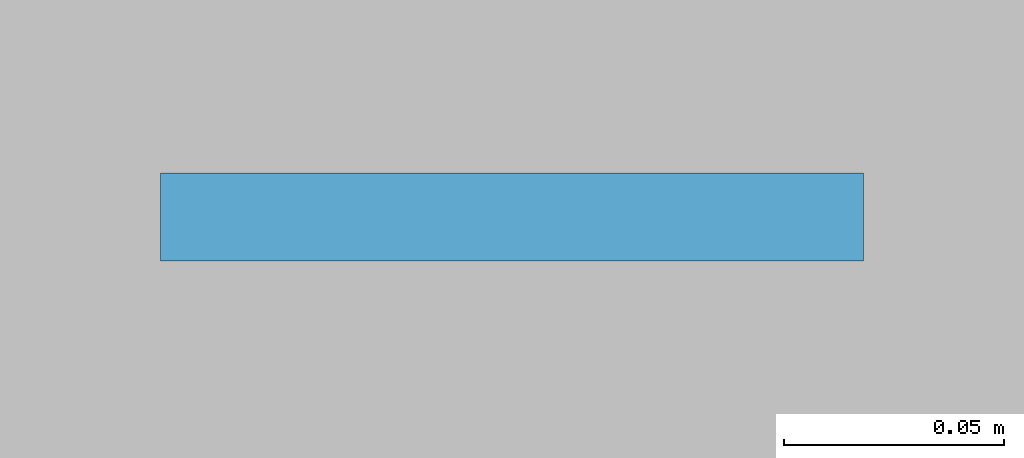
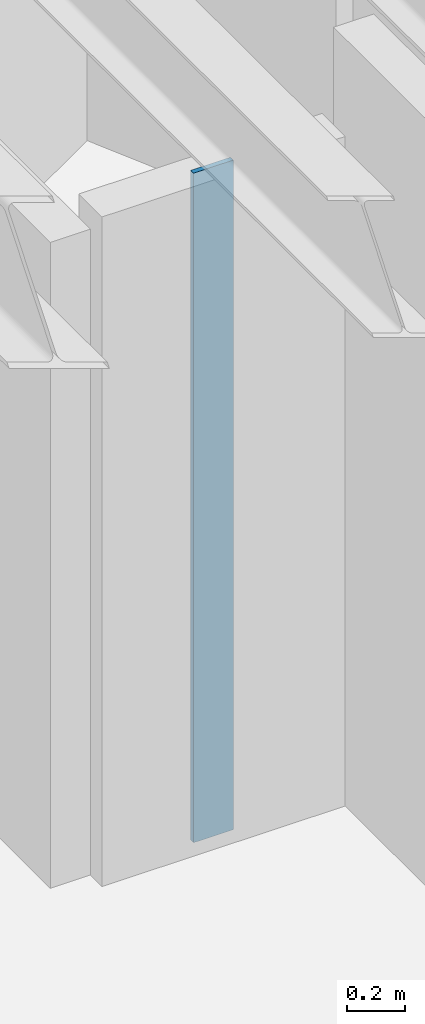
# One storey, part 4 of 12: 1 plate.
"""IFC4 building model written with IfcOpenShell, lengths in metres."""

from ifc_helpers import new_model, si_unit, direction, frame, origin, origin_2d, place, context, subcontext, project, spatial, rectangle, extrude, material, layer, layer_set, type_object, element, save


model = new_model("IFC4")

# Units and contexts
model_context = context("Model", 3, precision=1e-05, world=origin(), true_north=direction((0.0, 1.0)))
body_context = subcontext(model_context, "Body", "Model", "MODEL_VIEW")
ifc_project = project(units=[si_unit("LENGTHUNIT", "METRE"), si_unit("AREAUNIT", "SQUARE_METRE"), si_unit("VOLUMEUNIT", "CUBIC_METRE"), si_unit("PLANEANGLEUNIT", "RADIAN"), si_unit("MASSUNIT", "GRAM", prefix="KILO")], contexts=[model_context])

# Site, building, storey
site_placement = place(None, origin())
site = spatial("IfcSite", under=ifc_project, at=site_placement, CompositionType="ELEMENT")
building_placement = place(site_placement, origin())
building = spatial("IfcBuilding", under=site, at=building_placement, Name="Miruveldt Soraemaru", CompositionType="ELEMENT")
storey_placement = place(building_placement, frame((0.0, 0.0, 110.89990234375)))
storey = spatial("IfcBuildingStorey", under=building, at=storey_placement, Name="L30", CompositionType="ELEMENT", Elevation=110.89990234375)

# Plate
ifc_material = material(Name="Anodised aluminium EN AW-6063 T6", Category="aluminium")
ifc_layer = layer(ifc_material, 0.02001953125, Name="Anodised aluminium EN AW-6063 T6", Category="aluminium")
ifc_layer_set = layer_set([ifc_layer], Name="Anodised aluminium EN AW-6063 T6")
plate_type = type_object("IfcPlateType", Name="PLT-PART-TRIM", PredefinedType="SHEET", material=ifc_layer_set)
plate_placement = place(storey_placement, frame((57.614990234375, 47.7490234375, 0.0), z_axis=(0.0, 0.0, 1.0), x_axis=(-1.0, 0.0, 0.0)))
element("IfcPlate", 1, at=plate_placement, inside=storey, type_object=plate_type, Name="L30 Partition Step Corner Trim Plate 064", PredefinedType="SHEET", context=body_context, shape_type="SweptSolid", body=[
    extrude(rectangle(XDim=0.159912109375, YDim=0.02001953125, at=origin_2d()), origin(), (0.0, 0.0, 1.0), 2.822998046875),
])

save(model, "model.ifc")
